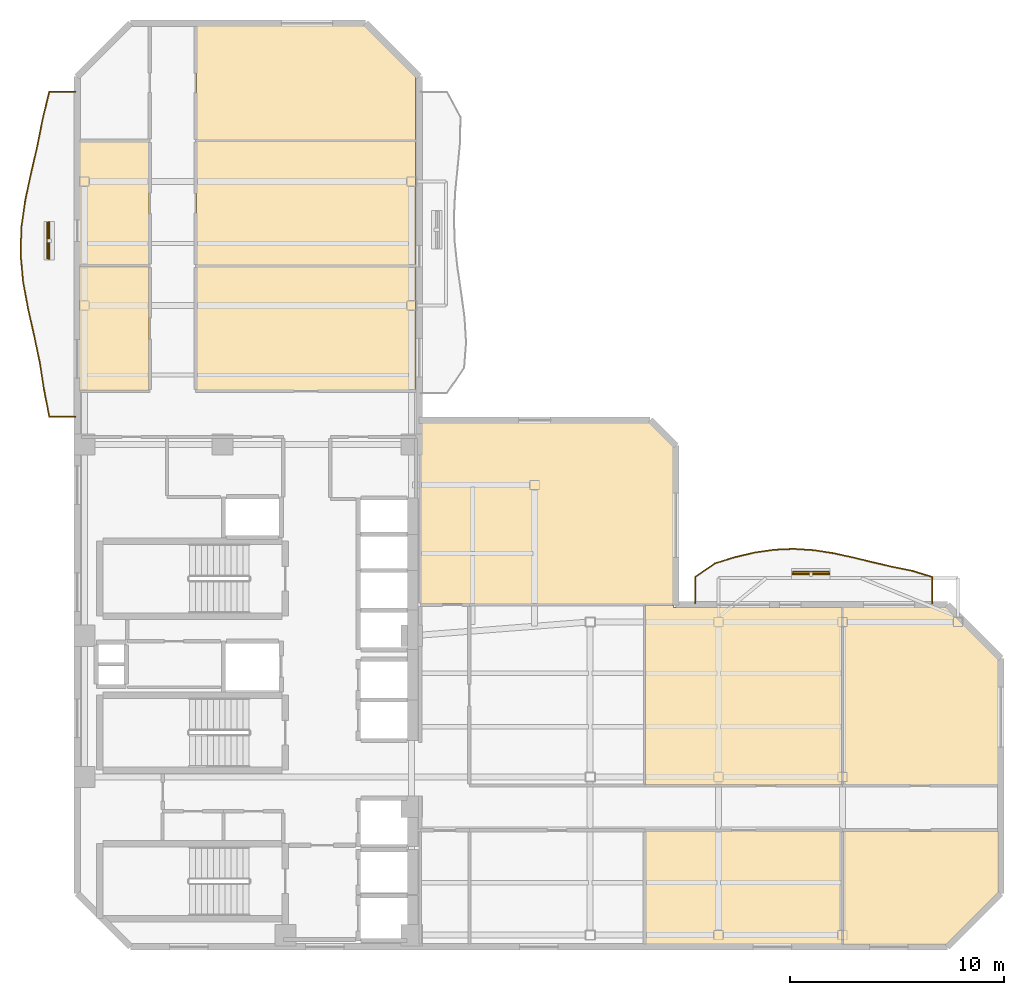
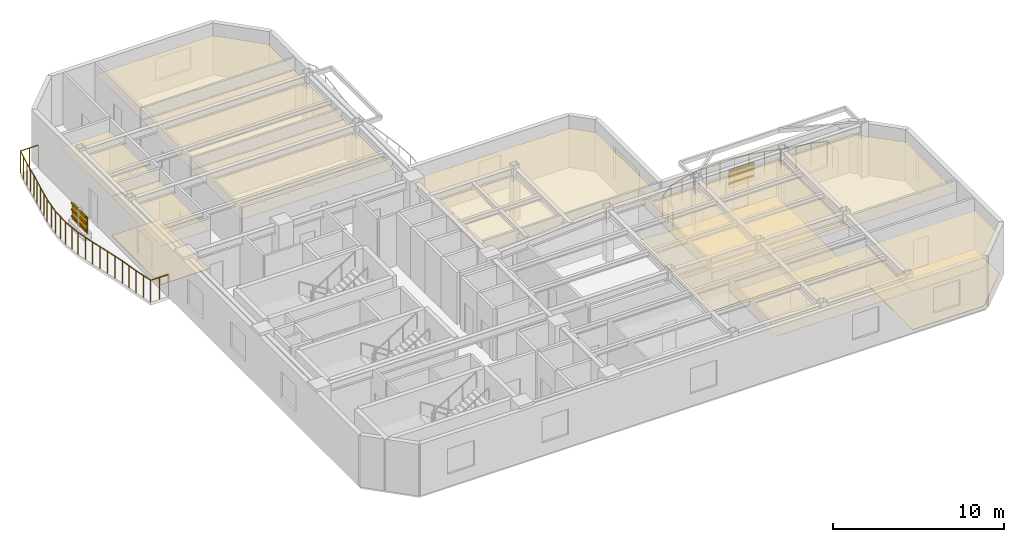
# One storey, part 8 of 9: 13 coverings, 8 shading devices, 2 railings.
"""IFC4 building model written with IfcOpenShell, lengths in metres."""

from ifc_helpers import new_model, si_unit, direction, frame, origin, origin_2d, place, context, subcontext, project, spatial, polyline, rectangle, outline, extrude, material, layer, layer_set, material_profile, profile_set, type_object, element, save


model = new_model("IFC4")

# Units and contexts
model_context = context("Model", 3, precision=1e-05, world=origin(), true_north=direction((0.0, 1.0)))
body_context = subcontext(model_context, "Body", "Model", "MODEL_VIEW")
ifc_project = project(units=[si_unit("LENGTHUNIT", "METRE"), si_unit("AREAUNIT", "SQUARE_METRE"), si_unit("VOLUMEUNIT", "CUBIC_METRE"), si_unit("PLANEANGLEUNIT", "RADIAN"), si_unit("MASSUNIT", "GRAM", prefix="KILO")], contexts=[model_context])

# Site, building, storey
site_placement = place(None, origin())
site = spatial("IfcSite", under=ifc_project, at=site_placement, CompositionType="ELEMENT")
building_placement = place(site_placement, origin())
building = spatial("IfcBuilding", under=site, at=building_placement, Name="Mawjaban Terraces University", CompositionType="ELEMENT")
storey_placement = place(building_placement, frame((0.0, 0.0, 175.800048828125)))
storey = spatial("IfcBuildingStorey", under=building, at=storey_placement, Name="L42", CompositionType="ELEMENT", Elevation=175.800048828125)

# Coverings
ifc_material_1 = material(Name="Acoustic mineral fibre ceiling tile", Category="masonry")
ifc_layer_1 = layer(ifc_material_1, 0.02001953125)
ifc_layer_set_1 = layer_set([ifc_layer_1], Name="Acoustic mineral fibre ceiling tile")
covering_type_1 = type_object("IfcCoveringType", Name="AcousticMineralCeiling_20", PredefinedType="CEILING", material=ifc_layer_set_1)
covering_1_placement = place(storey_placement, frame((0.0, 0.0, 2.75)))
element("IfcCovering", 1, at=covering_1_placement, inside=storey, type_object=covering_type_1, Name="L42 Teaching Laboratory 4 Acoustic Ceiling", PredefinedType="CEILING", context=body_context, shape_type="SweptSolid", body=[
    extrude(outline(polyline([(48.580078125, 0.114990234375), (57.77001953125, 0.114990234375), (57.77001953125, 5.419921875), (48.580078125, 5.419921875), (48.580078125, 0.114990234375)])), origin(), (0.0, 0.0, 1.0), 0.02001953125),
])
covering_2_placement = place(storey_placement, frame((0.0, 0.0, 2.75)))
element("IfcCovering", 2, at=covering_2_placement, inside=storey, type_object=covering_type_1, Name="L42 Seminar Room 5 Acoustic Ceiling", PredefinedType="CEILING", context=body_context, shape_type="SweptSolid", body=[
    extrude(outline(polyline([(57.77001953125, 15.885009765625), (49.885009765625, 15.885009765625), (49.885009765625, 15.969970703125), (48.580078125, 15.969970703125), (48.580078125, 7.580078125), (57.77001953125, 7.580078125), (57.77001953125, 15.885009765625)])), origin(), (0.0, 0.0, 1.0), 0.02001953125),
])
covering_3_placement = place(storey_placement, frame((0.0, 0.0, 2.75)))
element("IfcCovering", 3, at=covering_3_placement, inside=storey, type_object=covering_type_1, Name="L42 Classroom 6 Acoustic Ceiling", PredefinedType="CEILING", context=body_context, shape_type="SweptSolid", body=[
    extrude(outline(polyline([(57.830078125, 0.114990234375), (62.653076171875, 0.114990234375), (65.0849609375, 2.547119140625), (65.0849609375, 5.419921875), (57.830078125, 5.419921875), (57.830078125, 0.114990234375)])), origin(), (0.0, 0.0, 1.0), 0.02001953125),
])
covering_4_placement = place(storey_placement, frame((0.0, 0.0, 2.75)))
element("IfcCovering", 4, at=covering_4_placement, inside=storey, type_object=covering_type_1, Name="L42 Faculty Office 7 Acoustic Ceiling", PredefinedType="CEILING", context=body_context, shape_type="SweptSolid", body=[
    extrude(outline(polyline([(65.0849609375, 7.580078125), (65.0849609375, 13.452880859375), (62.653076171875, 15.885009765625), (57.830078125, 15.885009765625), (57.830078125, 7.580078125), (65.0849609375, 7.580078125)])), origin(), (0.0, 0.0, 1.0), 0.02001953125),
])
covering_5_placement = place(storey_placement, frame((0.0, 0.0, 2.75)))
element("IfcCovering", 5, at=covering_5_placement, inside=storey, type_object=covering_type_1, Name="L42 Classroom 8 Acoustic Ceiling", PredefinedType="CEILING", context=body_context, shape_type="SweptSolid", body=[
    extrude(outline(polyline([(22.114990234375, 31.818115234375), (22.114990234375, 26.030029296875), (25.3701171875, 26.030029296875), (25.3701171875, 31.818115234375), (22.114990234375, 31.818115234375)])), origin(), (0.0, 0.0, 1.0), 0.02001953125),
])
covering_6_placement = place(storey_placement, frame((0.0, 0.0, 2.75)))
element("IfcCovering", 6, at=covering_6_placement, inside=storey, type_object=covering_type_1, Name="L42 Computational Laboratory 9 Acoustic Ceiling", PredefinedType="CEILING", context=body_context, shape_type="SweptSolid", body=[
    extrude(outline(polyline([(37.820068359375, 26.030029296875), (37.820068359375, 31.818115234375), (27.580078125, 31.818115234375), (27.580078125, 26.030029296875), (37.820068359375, 26.030029296875)])), origin(), (0.0, 0.0, 1.0), 0.02001953125),
])
covering_7_placement = place(storey_placement, frame((0.0, 0.0, 2.75)))
element("IfcCovering", 7, at=covering_7_placement, inside=storey, type_object=covering_type_1, Name="L42 Design Studio 10 Acoustic Ceiling", PredefinedType="CEILING", context=body_context, shape_type="SweptSolid", body=[
    extrude(outline(polyline([(22.114990234375, 37.666015625), (22.114990234375, 31.8779296875), (25.3701171875, 31.8779296875), (25.3701171875, 37.666015625), (22.114990234375, 37.666015625)])), origin(), (0.0, 0.0, 1.0), 0.02001953125),
])
covering_8_placement = place(storey_placement, frame((0.0, 0.0, 2.75)))
element("IfcCovering", 8, at=covering_8_placement, inside=storey, type_object=covering_type_1, Name="L42 Faculty Office 11 Acoustic Ceiling", PredefinedType="CEILING", context=body_context, shape_type="SweptSolid", body=[
    extrude(outline(polyline([(37.820068359375, 31.8779296875), (37.820068359375, 37.666015625), (27.580078125, 37.666015625), (27.580078125, 31.8779296875), (37.820068359375, 31.8779296875)])), origin(), (0.0, 0.0, 1.0), 0.02001953125),
])
covering_9_placement = place(storey_placement, frame((0.0, 0.0, 2.75)))
element("IfcCovering", 9, at=covering_9_placement, inside=storey, type_object=covering_type_1, Name="L42 Collaborative Study Room 13 Acoustic Ceiling", PredefinedType="CEILING", context=body_context, shape_type="SweptSolid", body=[
    extrude(outline(polyline([(37.820068359375, 40.718017578125), (35.452880859375, 43.0849609375), (27.580078125, 43.0849609375), (27.580078125, 37.72607421875), (37.820068359375, 37.72607421875), (37.820068359375, 40.718017578125)])), origin(), (0.0, 0.0, 1.0), 0.02001953125),
])
covering_10_placement = place(storey_placement, frame((0.0, 0.0, 2.75)))
element("IfcCovering", 10, at=covering_10_placement, inside=storey, type_object=covering_type_1, Name="L42 Terrace Collaborative Study Room Acoustic Ceiling", PredefinedType="CEILING", context=body_context, shape_type="SweptSolid", body=[
    extrude(outline(polyline([(49.885009765625, 16.030029296875), (49.885009765625, 23.39306640625), (48.7529296875, 24.52490234375), (38.080078125, 24.52490234375), (38.080078125, 16.030029296875), (49.885009765625, 16.030029296875)])), origin(), (0.0, 0.0, 1.0), 0.02001953125),
])

# Railings
ifc_material_2 = material(Name="Galvanised powder-coated steel S355", Category="steel")
railing_type = type_object("IfcRailingType", Name="BalconyBalustrade_1600", PredefinedType="BALUSTRADE", material=ifc_material_2)
railing_1_placement = place(storey_placement, frame((21.919921875, 24.800048828125, 0.0)))
element("IfcRailing", 11, at=railing_1_placement, inside=storey, type_object=railing_type, Name="L42 Balcony Guardrail west", PredefinedType="BALUSTRADE", context=body_context, shape_type="SweptSolid", body=[
    extrude(rectangle(XDim=0.048095703125, YDim=0.048095703125, at=origin_2d()), frame((0.0, 0.0, 1.576171875), z_axis=(-1.0, 0.0, 0.0), x_axis=(0.0, -1.0, 0.0)), (0.0, 0.0, 1.0), 1.219970703125),
    extrude(rectangle(XDim=0.048095703125, YDim=0.048095703125, at=origin_2d()), frame((-1.219970703125, 0.0, 1.576171875), z_axis=(-0.192878604665, 0.981222627064, 0.0), x_axis=(-0.981222627064, -0.192878604665, 0.0)), (0.0, 0.0, 1.0), 1.291015625),
    extrude(rectangle(XDim=0.048095703125, YDim=0.048095703125, at=origin_2d()), frame((-1.468994140625, 1.266845703125, 1.576171875), z_axis=(-0.153760748703, 0.988108107526, 0.0), x_axis=(-0.988108107526, -0.153760748703, 0.0)), (0.0, 0.0, 1.0), 1.28125),
    extrude(rectangle(XDim=0.048095703125, YDim=0.048095703125, at=origin_2d()), frame((-1.666015625, 2.532958984375, 1.576171875), z_axis=(-0.205354685129, 0.978687617831, 0.0), x_axis=(-0.978687617831, -0.205354685129, 0.0)), (0.0, 0.0, 1.0), 1.294677734375),
    extrude(rectangle(XDim=0.048095703125, YDim=0.048095703125, at=origin_2d()), frame((-1.931884765625, 3.800048828125, 1.576171875), z_axis=(-0.220312798327, 0.975429275188, 0.0), x_axis=(-0.975429275188, -0.220312798327, 0.0)), (0.0, 0.0, 1.0), 1.298828125),
    extrude(rectangle(XDim=0.048095703125, YDim=0.048095703125, at=origin_2d()), frame((-2.218017578125, 5.06689453125, 1.576171875), z_axis=(-0.180187181391, 0.983632339679, 0.0), x_axis=(-0.983632339679, -0.180187181391, 0.0)), (0.0, 0.0, 1.0), 1.287109375),
    extrude(rectangle(XDim=0.048095703125, YDim=0.048095703125, at=origin_2d()), frame((-2.449951171875, 6.3330078125, 1.576171875), z_axis=(-0.089635795522, 0.995974610199, 0.0), x_axis=(-0.995974610199, -0.089635795522, 0.0)), (0.0, 0.0, 1.0), 1.27197265625),
    extrude(rectangle(XDim=0.048095703125, YDim=0.048095703125, at=origin_2d()), frame((-2.56396484375, 7.599853515625, 1.576171875), z_axis=(0.03081387714, 0.999525139742, 0.0), x_axis=(-0.999525139742, 0.03081387714, 0.0)), (0.0, 0.0, 1.0), 1.267578125),
    extrude(rectangle(XDim=0.048095703125, YDim=0.048095703125, at=origin_2d()), frame((-2.52490234375, 8.866943359375, 1.576171875), z_axis=(0.141448080519, 0.989945675538, 0.0), x_axis=(-0.989945675538, 0.141448080519, 0.0)), (0.0, 0.0, 1.0), 1.279052734375),
    extrude(rectangle(XDim=0.048095703125, YDim=0.048095703125, at=origin_2d()), frame((-2.343994140625, 10.133056640625, 1.576171875), z_axis=(0.209902241182, 0.97772237836, 0.0), x_axis=(-0.97772237836, 0.209902241182, 0.0)), (0.0, 0.0, 1.0), 1.295654296875),
    extrude(rectangle(XDim=0.048095703125, YDim=0.048095703125, at=origin_2d()), frame((-2.072021484375, 11.39990234375, 1.576171875), z_axis=(0.225448983558, 0.974254974744, 0.0), x_axis=(-0.974254974744, 0.225448983558, 0.0)), (0.0, 0.0, 1.0), 1.300537109375),
    extrude(rectangle(XDim=0.048095703125, YDim=0.048095703125, at=origin_2d()), frame((-1.77880859375, 12.6669921875, 1.576171875), z_axis=(0.193750446921, 0.981050846958, 0.0), x_axis=(-0.981050846958, 0.193750446921, 0.0)), (0.0, 0.0, 1.0), 1.290283203125),
    extrude(rectangle(XDim=0.048095703125, YDim=0.048095703125, at=origin_2d()), frame((-1.52880859375, 13.932861328125, 1.576171875), z_axis=(0.236805346908, 0.971557114984, 0.0), x_axis=(-0.971557114984, 0.236805346908, 0.0)), (0.0, 0.0, 1.0), 1.30419921875),
    extrude(rectangle(XDim=0.048095703125, YDim=0.048095703125, at=origin_2d()), frame((-1.219970703125, 15.199951171875, 1.576171875), z_axis=(1.0, 0.0, 0.0), x_axis=(0.0, 1.0, 0.0)), (0.0, 0.0, 1.0), 1.219970703125),
    extrude(rectangle(XDim=0.0419921875, YDim=0.0419921875, at=origin_2d()), origin(), (0.0, 0.0, 1.0), 1.552001953125),
    extrude(rectangle(XDim=0.0419921875, YDim=0.0419921875, at=origin_2d()), frame((-0.60986328125, 0.0, 0.0)), (0.0, 0.0, 1.0), 1.552001953125),
    extrude(rectangle(XDim=0.0419921875, YDim=0.0419921875, at=origin_2d()), frame((-1.219970703125, 0.0, 0.0)), (0.0, 0.0, 1.0), 1.552001953125),
    extrude(rectangle(XDim=0.0419921875, YDim=0.0419921875, at=origin_2d()), frame((-1.344482421875, 0.63330078125, 0.0)), (0.0, 0.0, 1.0), 1.552001953125),
    extrude(rectangle(XDim=0.0419921875, YDim=0.0419921875, at=origin_2d()), frame((-1.468994140625, 1.266845703125, 0.0)), (0.0, 0.0, 1.0), 1.552001953125),
    extrude(rectangle(XDim=0.0419921875, YDim=0.0419921875, at=origin_2d()), frame((-1.5673828125, 1.89990234375, 0.0)), (0.0, 0.0, 1.0), 1.552001953125),
    extrude(rectangle(XDim=0.0419921875, YDim=0.0419921875, at=origin_2d()), frame((-1.666015625, 2.532958984375, 0.0)), (0.0, 0.0, 1.0), 1.552001953125),
    extrude(rectangle(XDim=0.0419921875, YDim=0.0419921875, at=origin_2d()), frame((-1.798828125, 3.16650390625, 0.0)), (0.0, 0.0, 1.0), 1.552001953125),
    extrude(rectangle(XDim=0.0419921875, YDim=0.0419921875, at=origin_2d()), frame((-1.931884765625, 3.800048828125, 0.0)), (0.0, 0.0, 1.0), 1.552001953125),
    extrude(rectangle(XDim=0.0419921875, YDim=0.0419921875, at=origin_2d()), frame((-2.074951171875, 4.43359375, 0.0)), (0.0, 0.0, 1.0), 1.552001953125),
    extrude(rectangle(XDim=0.0419921875, YDim=0.0419921875, at=origin_2d()), frame((-2.218017578125, 5.06689453125, 0.0)), (0.0, 0.0, 1.0), 1.552001953125),
    extrude(rectangle(XDim=0.0419921875, YDim=0.0419921875, at=origin_2d()), frame((-2.333984375, 5.699951171875, 0.0)), (0.0, 0.0, 1.0), 1.552001953125),
    extrude(rectangle(XDim=0.0419921875, YDim=0.0419921875, at=origin_2d()), frame((-2.449951171875, 6.3330078125, 0.0)), (0.0, 0.0, 1.0), 1.552001953125),
    extrude(rectangle(XDim=0.0419921875, YDim=0.0419921875, at=origin_2d()), frame((-2.5068359375, 6.96630859375, 0.0)), (0.0, 0.0, 1.0), 1.552001953125),
    extrude(rectangle(XDim=0.0419921875, YDim=0.0419921875, at=origin_2d()), frame((-2.56396484375, 7.599853515625, 0.0)), (0.0, 0.0, 1.0), 1.552001953125),
    extrude(rectangle(XDim=0.0419921875, YDim=0.0419921875, at=origin_2d()), frame((-2.54443359375, 8.2333984375, 0.0)), (0.0, 0.0, 1.0), 1.552001953125),
    extrude(rectangle(XDim=0.0419921875, YDim=0.0419921875, at=origin_2d()), frame((-2.52490234375, 8.866943359375, 0.0)), (0.0, 0.0, 1.0), 1.552001953125),
    extrude(rectangle(XDim=0.0419921875, YDim=0.0419921875, at=origin_2d()), frame((-2.4345703125, 9.5, 0.0)), (0.0, 0.0, 1.0), 1.552001953125),
    extrude(rectangle(XDim=0.0419921875, YDim=0.0419921875, at=origin_2d()), frame((-2.343994140625, 10.133056640625, 0.0)), (0.0, 0.0, 1.0), 1.552001953125),
    extrude(rectangle(XDim=0.0419921875, YDim=0.0419921875, at=origin_2d()), frame((-2.2080078125, 10.7666015625, 0.0)), (0.0, 0.0, 1.0), 1.552001953125),
    extrude(rectangle(XDim=0.0419921875, YDim=0.0419921875, at=origin_2d()), frame((-2.072021484375, 11.39990234375, 0.0)), (0.0, 0.0, 1.0), 1.552001953125),
    extrude(rectangle(XDim=0.0419921875, YDim=0.0419921875, at=origin_2d()), frame((-1.92529296875, 12.033447265625, 0.0)), (0.0, 0.0, 1.0), 1.552001953125),
    extrude(rectangle(XDim=0.0419921875, YDim=0.0419921875, at=origin_2d()), frame((-1.77880859375, 12.6669921875, 0.0)), (0.0, 0.0, 1.0), 1.552001953125),
    extrude(rectangle(XDim=0.0419921875, YDim=0.0419921875, at=origin_2d()), frame((-1.65380859375, 13.2998046875, 0.0)), (0.0, 0.0, 1.0), 1.552001953125),
    extrude(rectangle(XDim=0.0419921875, YDim=0.0419921875, at=origin_2d()), frame((-1.52880859375, 13.932861328125, 0.0)), (0.0, 0.0, 1.0), 1.552001953125),
    extrude(rectangle(XDim=0.0419921875, YDim=0.0419921875, at=origin_2d()), frame((-1.37451171875, 14.56640625, 0.0)), (0.0, 0.0, 1.0), 1.552001953125),
    extrude(rectangle(XDim=0.0419921875, YDim=0.0419921875, at=origin_2d()), frame((-1.219970703125, 15.199951171875, 0.0)), (0.0, 0.0, 1.0), 1.552001953125),
    extrude(rectangle(XDim=0.0419921875, YDim=0.0419921875, at=origin_2d()), frame((-0.60986328125, 15.199951171875, 0.0)), (0.0, 0.0, 1.0), 1.552001953125),
    extrude(rectangle(XDim=0.0419921875, YDim=0.0419921875, at=origin_2d()), frame((0.0, 15.199951171875, 0.0)), (0.0, 0.0, 1.0), 1.552001953125),
])
railing_2_placement = place(storey_placement, frame((50.89990234375, 16.080078125, 0.0)))
element("IfcRailing", 12, at=railing_2_placement, inside=storey, type_object=railing_type, Name="L42 Balcony Guardrail inner_north", PredefinedType="BALUSTRADE", context=body_context, shape_type="SweptSolid", body=[
    extrude(rectangle(XDim=0.048095703125, YDim=0.048095703125, at=origin_2d()), frame((0.0, 0.0, 1.576171875), z_axis=(0.0, 1.0, 0.0), x_axis=(-1.0, 0.0, 0.0)), (0.0, 0.0, 1.0), 1.219970703125),
    extrude(rectangle(XDim=0.048095703125, YDim=0.048095703125, at=origin_2d()), frame((0.0, 1.219970703125, 1.576171875), z_axis=(0.823223290205, 0.567717724282, 0.0), x_axis=(-0.567717724282, 0.823223290205, 0.0)), (0.0, 0.0, 1.0), 1.123779296875),
    extrude(rectangle(XDim=0.048095703125, YDim=0.048095703125, at=origin_2d()), frame((0.925048828125, 1.85791015625, 1.576171875), z_axis=(0.954770964076, 0.297342237427, 0.0), x_axis=(-0.297342237427, 0.954770964076, 0.0)), (0.0, 0.0, 1.0), 0.96875),
    extrude(rectangle(XDim=0.048095703125, YDim=0.048095703125, at=origin_2d()), frame((1.85009765625, 2.14599609375, 1.576171875), z_axis=(0.973103017922, 0.230370389833, 0.0), x_axis=(-0.230370389833, 0.973103017922, 0.0)), (0.0, 0.0, 1.0), 0.95068359375),
    extrude(rectangle(XDim=0.048095703125, YDim=0.048095703125, at=origin_2d()), frame((2.775146484375, 2.364990234375, 1.576171875), z_axis=(0.989516659482, 0.144418768196, 0.0), x_axis=(-0.144418768196, 0.989516659482, 0.0)), (0.0, 0.0, 1.0), 0.934814453125),
    extrude(rectangle(XDim=0.048095703125, YDim=0.048095703125, at=origin_2d()), frame((3.7001953125, 2.5, 1.576171875), z_axis=(0.999120226458, 0.041937728619, 0.0), x_axis=(-0.041937728619, 0.999120226458, 0.0)), (0.0, 0.0, 1.0), 0.925537109375),
    extrude(rectangle(XDim=0.048095703125, YDim=0.048095703125, at=origin_2d()), frame((4.625, 2.538818359375, 1.576171875), z_axis=(0.99791601918, -0.064526108392, 0.0), x_axis=(0.064526108392, 0.99791601918, 0.0)), (0.0, 0.0, 1.0), 0.927001953125),
    extrude(rectangle(XDim=0.048095703125, YDim=0.048095703125, at=origin_2d()), frame((5.550048828125, 2.47900390625, 1.576171875), z_axis=(0.988250775862, -0.152841107061, 0.0), x_axis=(0.152841107061, 0.988250775862, 0.0)), (0.0, 0.0, 1.0), 0.93603515625),
    extrude(rectangle(XDim=0.048095703125, YDim=0.048095703125, at=origin_2d()), frame((6.47509765625, 2.3359375, 1.576171875), z_axis=(0.977213591944, -0.212258323085, 0.0), x_axis=(0.212258323085, 0.977213591944, 0.0)), (0.0, 0.0, 1.0), 0.946533203125),
    extrude(rectangle(XDim=0.048095703125, YDim=0.048095703125, at=origin_2d()), frame((7.400146484375, 2.135009765625, 1.576171875), z_axis=(0.971646907474, -0.236436645207, 0.0), x_axis=(0.236436645207, 0.971646907474, 0.0)), (0.0, 0.0, 1.0), 0.9521484375),
    extrude(rectangle(XDim=0.048095703125, YDim=0.048095703125, at=origin_2d()), frame((8.3251953125, 1.909912109375, 1.576171875), z_axis=(0.974004069032, -0.226530513415, 0.0), x_axis=(0.226530513415, 0.974004069032, 0.0)), (0.0, 0.0, 1.0), 0.949462890625),
    extrude(rectangle(XDim=0.048095703125, YDim=0.048095703125, at=origin_2d()), frame((9.25, 1.69482421875, 1.576171875), z_axis=(0.980170622568, -0.198155369989, 0.0), x_axis=(0.198155369989, 0.980170622568, 0.0)), (0.0, 0.0, 1.0), 0.94384765625),
    extrude(rectangle(XDim=0.048095703125, YDim=0.048095703125, at=origin_2d()), frame((10.175048828125, 1.5078125, 1.576171875), z_axis=(0.954842478745, -0.297112505263, 0.0), x_axis=(0.297112505263, 0.954842478745, 0.0)), (0.0, 0.0, 1.0), 0.96875),
    extrude(rectangle(XDim=0.048095703125, YDim=0.048095703125, at=origin_2d()), frame((11.10009765625, 1.219970703125, 1.576171875), z_axis=(0.0, -1.0, 0.0), x_axis=(1.0, 0.0, 0.0)), (0.0, 0.0, 1.0), 1.219970703125),
    extrude(rectangle(XDim=0.0419921875, YDim=0.0419921875, at=origin_2d()), origin(), (0.0, 0.0, 1.0), 1.552001953125),
    extrude(rectangle(XDim=0.0419921875, YDim=0.0419921875, at=origin_2d()), frame((0.0, 0.60986328125, 0.0)), (0.0, 0.0, 1.0), 1.552001953125),
    extrude(rectangle(XDim=0.0419921875, YDim=0.0419921875, at=origin_2d()), frame((0.0, 1.219970703125, 0.0)), (0.0, 0.0, 1.0), 1.552001953125),
    extrude(rectangle(XDim=0.0419921875, YDim=0.0419921875, at=origin_2d()), frame((0.925048828125, 1.85791015625, 0.0)), (0.0, 0.0, 1.0), 1.552001953125),
    extrude(rectangle(XDim=0.0419921875, YDim=0.0419921875, at=origin_2d()), frame((1.85009765625, 2.14599609375, 0.0)), (0.0, 0.0, 1.0), 1.552001953125),
    extrude(rectangle(XDim=0.0419921875, YDim=0.0419921875, at=origin_2d()), frame((2.775146484375, 2.364990234375, 0.0)), (0.0, 0.0, 1.0), 1.552001953125),
    extrude(rectangle(XDim=0.0419921875, YDim=0.0419921875, at=origin_2d()), frame((3.7001953125, 2.5, 0.0)), (0.0, 0.0, 1.0), 1.552001953125),
    extrude(rectangle(XDim=0.0419921875, YDim=0.0419921875, at=origin_2d()), frame((4.625, 2.538818359375, 0.0)), (0.0, 0.0, 1.0), 1.552001953125),
    extrude(rectangle(XDim=0.0419921875, YDim=0.0419921875, at=origin_2d()), frame((5.550048828125, 2.47900390625, 0.0)), (0.0, 0.0, 1.0), 1.552001953125),
    extrude(rectangle(XDim=0.0419921875, YDim=0.0419921875, at=origin_2d()), frame((6.47509765625, 2.3359375, 0.0)), (0.0, 0.0, 1.0), 1.552001953125),
    extrude(rectangle(XDim=0.0419921875, YDim=0.0419921875, at=origin_2d()), frame((7.400146484375, 2.135009765625, 0.0)), (0.0, 0.0, 1.0), 1.552001953125),
    extrude(rectangle(XDim=0.0419921875, YDim=0.0419921875, at=origin_2d()), frame((8.3251953125, 1.909912109375, 0.0)), (0.0, 0.0, 1.0), 1.552001953125),
    extrude(rectangle(XDim=0.0419921875, YDim=0.0419921875, at=origin_2d()), frame((9.25, 1.69482421875, 0.0)), (0.0, 0.0, 1.0), 1.552001953125),
    extrude(rectangle(XDim=0.0419921875, YDim=0.0419921875, at=origin_2d()), frame((10.175048828125, 1.5078125, 0.0)), (0.0, 0.0, 1.0), 1.552001953125),
    extrude(rectangle(XDim=0.0419921875, YDim=0.0419921875, at=origin_2d()), frame((11.10009765625, 1.219970703125, 0.0)), (0.0, 0.0, 1.0), 1.552001953125),
    extrude(rectangle(XDim=0.0419921875, YDim=0.0419921875, at=origin_2d()), frame((11.10009765625, 0.60986328125, 0.0)), (0.0, 0.0, 1.0), 1.552001953125),
    extrude(rectangle(XDim=0.0419921875, YDim=0.0419921875, at=origin_2d()), frame((11.10009765625, 0.0, 0.0)), (0.0, 0.0, 1.0), 1.552001953125),
])

# Shading devices
ifc_material_3 = material(Name="Glazed architectural terracotta ceramic", Category="masonry")
ifc_material_profile = material_profile(ifc_material_3, rectangle(XDim=0.06494140625, YDim=0.110107421875, at=origin_2d()), Name="TBAG110X65")
ifc_profile_set = profile_set([ifc_material_profile], Name="Glazed architectural terracotta ceramic")
shading_device_type_1 = type_object("IfcShadingDeviceType", Name="TerracottaBaguette_110x65", PredefinedType="USERDEFINED", material=ifc_profile_set)
for number, where, z_axis, x_axis, name in (
    (13, (20.60791015625, 32.18408203125, 0.679931640625), (0.0, 1.0, 0.0), (-1.0, 0.0, 0.0), "L42 Horizontal Terracotta Baguette west.1"),
    (14, (20.60791015625, 32.18408203125, 1.14990234375), (0.0, 1.0, 0.0), (-1.0, 0.0, 0.0), "L42 Horizontal Terracotta Baguette west.2"),
    (15, (20.60791015625, 32.18408203125, 1.619873046875), (0.0, 1.0, 0.0), (-1.0, 0.0, 0.0), "L42 Horizontal Terracotta Baguette west.3"),
):
    element("IfcShadingDevice", number, at=place(storey_placement, frame(where, z_axis=z_axis, x_axis=x_axis)), inside=storey, type_object=shading_device_type_1, Name=name, ObjectType="BAGUETTE", PredefinedType="USERDEFINED", context=body_context, shape_type="SweptSolid", body=[
        extrude(rectangle(XDim=0.06494140625, YDim=0.110107421875, at=origin_2d()), origin(), (0.0, 0.0, 1.0), 1.699951171875),
    ])
for number, where, z_axis, x_axis, name in (
    (16, (55.472900390625, 17.529052734375, 0.679931640625), (1.0, 0.0, 0.0), (0.0, 1.0, 0.0), "L42 Horizontal Terracotta Baguette inner_north.1"),
    (17, (55.472900390625, 17.529052734375, 1.14990234375), (1.0, 0.0, 0.0), (0.0, 1.0, 0.0), "L42 Horizontal Terracotta Baguette inner_north.2"),
    (18, (55.472900390625, 17.529052734375, 1.619873046875), (1.0, 0.0, 0.0), (0.0, 1.0, 0.0), "L42 Horizontal Terracotta Baguette inner_north.3"),
):
    element("IfcShadingDevice", number, at=place(storey_placement, frame(where, z_axis=z_axis, x_axis=x_axis)), inside=storey, type_object=shading_device_type_1, Name=name, ObjectType="BAGUETTE", PredefinedType="USERDEFINED", context=body_context, shape_type="SweptSolid", body=[
        extrude(rectangle(XDim=0.06494140625, YDim=0.110107421875, at=origin_2d()), origin(), (0.0, 0.0, 1.0), 1.7001953125),
    ])
ifc_layer_2 = layer(ifc_material_3, 0.080078125)
ifc_layer_set_2 = layer_set([ifc_layer_2], Name="Glazed architectural terracotta ceramic")
shading_device_type_2 = type_object("IfcShadingDeviceType", Name="TerracottaScreen_Perforated", PredefinedType="USERDEFINED", material=ifc_layer_set_2)
for number, where, z_axis, x_axis, name in (
    (19, (20.693115234375, 33.033935546875, 0.43994140625), (0.0, 0.0, 1.0), (0.0, 1.0, 0.0), "L42 Balcony Perforated Terracotta Screen west"),
    (20, (56.322998046875, 17.444091796875, 0.43994140625), (0.0, 0.0, 1.0), (1.0, 0.0, 0.0), "L42 Balcony Perforated Terracotta Screen inner_north"),
):
    element("IfcShadingDevice", number, at=place(storey_placement, frame(where, z_axis=z_axis, x_axis=x_axis)), inside=storey, type_object=shading_device_type_2, Name=name, ObjectType="SCREEN", PredefinedType="USERDEFINED", context=body_context, shape_type="SweptSolid", body=[
        extrude(rectangle(XDim=1.75, YDim=0.080078125, at=origin_2d()), origin(), (0.0, 0.0, 1.0), 1.14990234375),
    ])

# Coverings
ifc_material_4 = material(Name="Polished Hijazi granite terrazzo flooring", Category="masonry")
ifc_layer_3 = layer(ifc_material_4, 0.02490234375)
ifc_layer_set_3 = layer_set([ifc_layer_3], Name="Polished Hijazi granite terrazzo flooring")
covering_type_2 = type_object("IfcCoveringType", Name="TerrazzoConcourseFlooring_25", PredefinedType="FLOORING", material=ifc_layer_set_3)
covering_11_placement = place(storey_placement, origin())
element("IfcCovering", 21, at=covering_11_placement, inside=storey, type_object=covering_type_2, Name="L42 Seminar Room 5 Terrazzo Flooring", PredefinedType="FLOORING", context=body_context, shape_type="SweptSolid", body=[
    extrude(outline(polyline([(57.77001953125, 15.885009765625), (49.885009765625, 15.885009765625), (49.885009765625, 15.969970703125), (48.580078125, 15.969970703125), (48.580078125, 7.580078125), (57.77001953125, 7.580078125), (57.77001953125, 15.885009765625)])), origin(), (0.0, 0.0, 1.0), 0.02490234375),
])
covering_12_placement = place(storey_placement, origin())
element("IfcCovering", 22, at=covering_12_placement, inside=storey, type_object=covering_type_2, Name="L42 Classroom 6 Terrazzo Flooring", PredefinedType="FLOORING", context=body_context, shape_type="SweptSolid", body=[
    extrude(outline(polyline([(57.830078125, 0.114990234375), (62.653076171875, 0.114990234375), (65.0849609375, 2.547119140625), (65.0849609375, 5.419921875), (57.830078125, 5.419921875), (57.830078125, 0.114990234375)])), origin(), (0.0, 0.0, 1.0), 0.02490234375),
])
covering_13_placement = place(storey_placement, origin())
element("IfcCovering", 23, at=covering_13_placement, inside=storey, type_object=covering_type_2, Name="L42 Classroom 8 Terrazzo Flooring", PredefinedType="FLOORING", context=body_context, shape_type="SweptSolid", body=[
    extrude(outline(polyline([(22.114990234375, 31.818115234375), (22.114990234375, 26.030029296875), (25.3701171875, 26.030029296875), (25.3701171875, 31.818115234375), (22.114990234375, 31.818115234375)])), origin(), (0.0, 0.0, 1.0), 0.02490234375),
])

save(model, "model.ifc")
